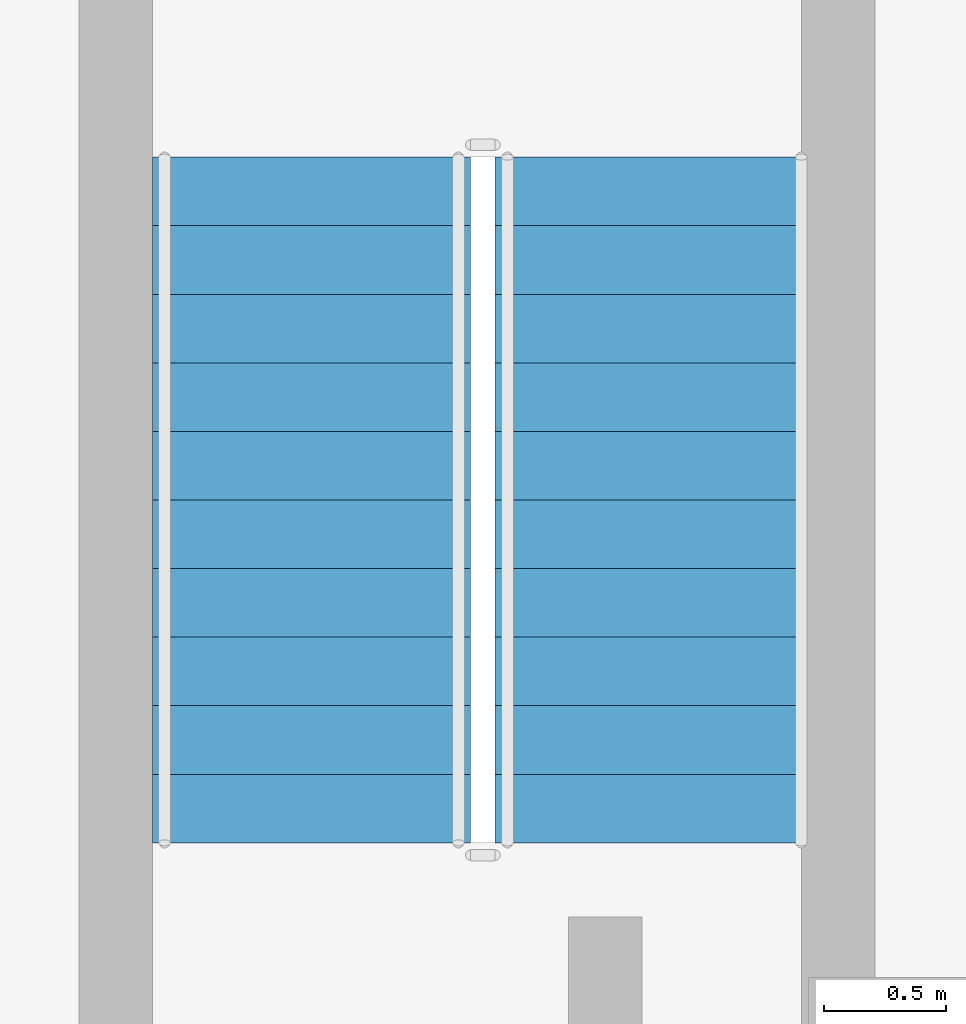
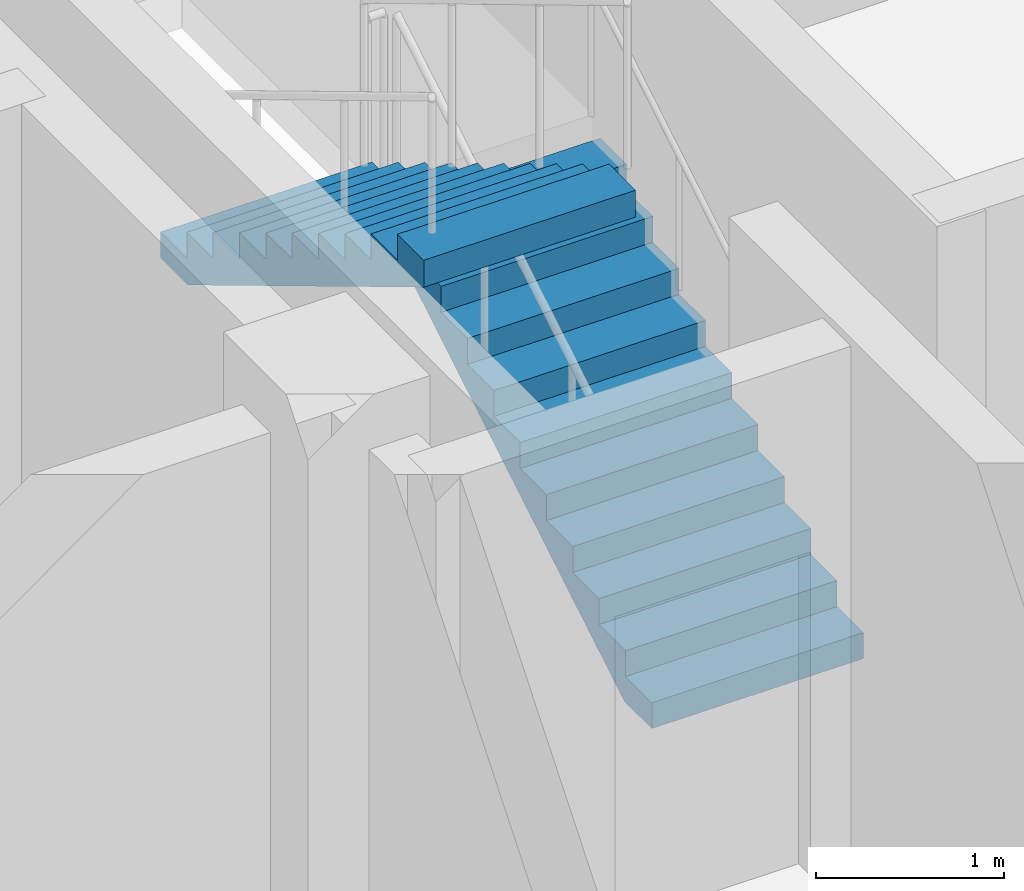
# One storey, part 17 of 23: 2 stair flights, 1 element without a shape of its own.
"""IFC4 building model written with IfcOpenShell, lengths in metres."""

import ifcopenshell
import ifcopenshell.guid

model = None  # the IFC model being written
_history = None  # IfcOwnerHistory: only IFC2X3 demands one
_inside = {}  # id of a spatial element -> (the spatial element, [elements in it])
_under = {}  # id of a project, library or spatial element -> (it, [spatial elements below it])
_declared = {}  # id of a project -> (the project, [libraries it declares])
_typed = {}  # id of a type object -> (the type object, [elements of that type])
_made_of = {}  # id of a material, layer set ... -> (it, [elements and type objects made of it])


def new_model(schema):
    """Start an empty IFC model of exactly this schema.

    Asked for "IFC4X3", IfcOpenShell would pick the latest addendum, in which some entities
    have other attributes; the version numbers below select the first issue.
    IFC2X3 requires an IfcOwnerHistory on every rooted entity: one is made here for all.
    """
    global model, _history
    if schema == "IFC4X3":
        model = ifcopenshell.file(schema_version=(4, 3, 0, 0))
    else:
        model = ifcopenshell.file(schema=schema)
    _inside.clear()
    _under.clear()
    _declared.clear()
    _typed.clear()
    _made_of.clear()
    _history = None
    if model.schema == "IFC2X3":
        org = make("IfcOrganization", Name="unknown")
        user = make(
            "IfcPersonAndOrganization",
            ThePerson=make("IfcPerson", FamilyName="unknown"),
            TheOrganization=org,
        )
        app = make(
            "IfcApplication",
            ApplicationDeveloper=org,
            Version="unknown",
            ApplicationFullName="unknown",
            ApplicationIdentifier="unknown",
        )
        _history = make(
            "IfcOwnerHistory",
            OwningUser=user,
            OwningApplication=app,
            ChangeAction="ADDED",
            CreationDate=0,
        )
    return model


def make(cls, **values):
    """One entity of the class cls with the attributes given. An attribute that is None is left unset."""
    return model.create_entity(
        cls, **{name: value for name, value in values.items() if value is not None}
    )


def rooted(cls, **values):
    """An entity with a GlobalId (a new one), such as an element, a storey or a relation."""
    return make(cls, GlobalId=ifcopenshell.guid.new(), OwnerHistory=_history, **values)


def si_unit(unit_type, name, prefix=None):
    """IfcSIUnit, for example si_unit("LENGTHUNIT", "METRE", prefix="MILLI")."""
    return make("IfcSIUnit", UnitType=unit_type, Prefix=prefix, Name=name)


def assignment(units):
    """IfcUnitAssignment: the units of a project."""
    return None if units is None else make("IfcUnitAssignment", Units=units)


def point(xyz):
    """IfcCartesianPoint."""
    return None if xyz is None else make("IfcCartesianPoint", Coordinates=xyz)


def direction(xyz):
    """IfcDirection."""
    return None if xyz is None else make("IfcDirection", DirectionRatios=xyz)


def frame(location, z_axis=None, x_axis=None):
    """IfcAxis2Placement3D, a coordinate frame: its origin and axes. An axis left out is left unset."""
    return make(
        "IfcAxis2Placement3D",
        Location=point(location),
        Axis=direction(z_axis),
        RefDirection=direction(x_axis),
    )


def origin():
    """The frame at (0, 0, 0) with its axes left unset."""
    return frame((0.0, 0.0, 0.0))


def place(relative_to, where):
    """IfcLocalPlacement: puts the frame where relative to a parent placement (None: the world)."""
    return make(
        "IfcLocalPlacement", PlacementRelTo=relative_to, RelativePlacement=where
    )


def context(
    kind, dimensions, precision=None, world=None, true_north=None, identifier=None
):
    """IfcGeometricRepresentationContext, for example the 3D "Model" context."""
    return make(
        "IfcGeometricRepresentationContext",
        ContextIdentifier=identifier,
        ContextType=kind,
        CoordinateSpaceDimension=dimensions,
        Precision=precision,
        WorldCoordinateSystem=world,
        TrueNorth=true_north,
    )


def subcontext(parent, identifier, kind, view, scale=None):
    """IfcGeometricRepresentationSubContext, for example "Body" below "Model"."""
    return make(
        "IfcGeometricRepresentationSubContext",
        ContextIdentifier=identifier,
        ContextType=kind,
        ParentContext=parent,
        TargetScale=scale,
        TargetView=view,
    )


def project(units=None, contexts=None):
    """IfcProject with its units and contexts."""
    return rooted(
        "IfcProject",
        Name="project",
        RepresentationContexts=contexts,
        UnitsInContext=assignment(units),
    )


def spatial(cls, under=None, at=None, **own):
    """A site, building, storey or space (cls), placed at a placement, below another one or the project."""
    s = rooted(cls, ObjectPlacement=at, **own)
    if under is not None:
        _under.setdefault(under.id(), (under, []))[1].append(s)
    return s


def point_list(points):
    """IfcCartesianPointList2D or 3D."""
    cls = (
        "IfcCartesianPointList2D" if len(points[0]) == 2 else "IfcCartesianPointList3D"
    )
    return make(cls, CoordList=points)


def triangles(points, corners, closed=None, point_numbers=None):
    """IfcTriangulatedFaceSet: each triangle names its three corners, points numbered from 1."""
    return make(
        "IfcTriangulatedFaceSet",
        Coordinates=point_list(points),
        Closed=closed,
        CoordIndex=corners,
        PnIndex=point_numbers,
    )


def shape(context_of_items, identifier, shape_type, items):
    """IfcShapeRepresentation: the items that make up one representation, for example the "Body"."""
    return make(
        "IfcShapeRepresentation",
        ContextOfItems=context_of_items,
        RepresentationIdentifier=identifier,
        RepresentationType=shape_type,
        Items=items,
    )


def source(mapping_origin, context_of_items, identifier, shape_type, items):
    """IfcRepresentationMap: a shape defined once, which mapped items show again and again."""
    return make(
        "IfcRepresentationMap",
        MappingOrigin=mapping_origin,
        MappedRepresentation=shape(context_of_items, identifier, shape_type, items),
    )


def transform(
    local_origin,
    x_axis=None,
    y_axis=None,
    z_axis=None,
    scale=None,
    scale2=None,
    scale3=None,
    uniform=True,
):
    """IfcCartesianTransformationOperator3D, or its non-uniform kind. x_axis, y_axis, z_axis: its Axis1, 2, 3."""
    if uniform:
        return make(
            "IfcCartesianTransformationOperator3D",
            Axis1=direction(x_axis),
            Axis2=direction(y_axis),
            LocalOrigin=point(local_origin),
            Scale=scale,
            Axis3=direction(z_axis),
        )
    return make(
        "IfcCartesianTransformationOperator3DnonUniform",
        Axis1=direction(x_axis),
        Axis2=direction(y_axis),
        LocalOrigin=point(local_origin),
        Scale=scale,
        Axis3=direction(z_axis),
        Scale2=scale2,
        Scale3=scale3,
    )


def mapped(mapping_source, mapping_target):
    """IfcMappedItem: shows the shape of a source again, moved by a transform."""
    return make(
        "IfcMappedItem", MappingSource=mapping_source, MappingTarget=mapping_target
    )


def material(Name=None, Category=None):
    """IfcMaterial."""
    return make("IfcMaterial", Name=Name, Category=Category)


def made_of(thing, what):
    """Note that an element or type object is made of a material, layer set ...; save() writes the relation."""
    if what is not None:
        _made_of.setdefault(what.id(), (what, []))[1].append(thing)
    return thing


def type_object(cls, material=None, **own):
    """A type object (cls), such as IfcWallType, which elements share."""
    return made_of(rooted(cls, **own), material)


def element(
    cls,
    number,
    at=None,
    inside=None,
    cuts=None,
    type_object=None,
    material=None,
    context=None,
    identifier="Body",
    shape_type=None,
    held_by="IfcProductDefinitionShape",
    body=None,
    shapes=None,
    **own,
):
    """One element of the class cls, such as IfcWall. Its Tag is "e" and its number.

    at: its placement. inside: the storey or other place that contains it. cuts: it is an
    opening in that element (IfcRelVoidsElement). A single representation is given by context,
    identifier, shape_type and body (its items); several are given by shapes. held_by: the class
    of the entity that holds the representations. save() writes the other relations.
    """
    e = rooted(cls, Tag="e%d" % number, ObjectPlacement=at, **own)
    if body is not None:
        shapes = [shape(context, identifier, shape_type, body)]
    if shapes is not None:
        e.Representation = make(held_by, Representations=shapes)
    if inside is not None:
        _inside.setdefault(inside.id(), (inside, []))[1].append(e)
    if cuts is not None:
        rooted(
            "IfcRelVoidsElement", RelatingBuildingElement=cuts, RelatedOpeningElement=e
        )
    if type_object is not None:
        _typed.setdefault(type_object.id(), (type_object, []))[1].append(e)
    return made_of(e, material)


def aggregate(whole, parts):
    """IfcRelAggregates: a whole, such as a stair, and the parts it consists of."""
    return rooted("IfcRelAggregates", RelatingObject=whole, RelatedObjects=parts)


def save(model, path):
    """Write the relations noted so far, then the file.

    IfcRelAggregates (storeys below a building ...), IfcRelContainedInSpatialStructure (elements
    in a storey), IfcRelDefinesByType, IfcRelAssociatesMaterial and IfcRelDeclares: one each for
    every whole, place, type object, material and project.
    """
    for whole, parts in _under.values():
        aggregate(whole, parts)
    for where, things in _inside.values():
        rooted(
            "IfcRelContainedInSpatialStructure",
            RelatedElements=things,
            RelatingStructure=where,
        )
    for kind, things in _typed.values():
        rooted("IfcRelDefinesByType", RelatedObjects=things, RelatingType=kind)
    for what, things in _made_of.values():
        rooted("IfcRelAssociatesMaterial", RelatedObjects=things, RelatingMaterial=what)
    for by, libraries in _declared.values():
        rooted("IfcRelDeclares", RelatingContext=by, RelatedDefinitions=libraries)
    model.write(path)


model = new_model("IFC4")

# Units and contexts
model_context = context("Model", 3, precision=1e-05, world=origin(), true_north=direction((0.0, 1.0)))
body_context = subcontext(model_context, "Body", "Model", "MODEL_VIEW")
ifc_project = project(units=[si_unit("LENGTHUNIT", "METRE"), si_unit("AREAUNIT", "SQUARE_METRE"), si_unit("VOLUMEUNIT", "CUBIC_METRE"), si_unit("PLANEANGLEUNIT", "RADIAN"), si_unit("MASSUNIT", "GRAM", prefix="KILO")], contexts=[model_context])

# Site, building, storey
site_placement = place(None, origin())
site = spatial("IfcSite", under=ifc_project, at=site_placement, CompositionType="ELEMENT")
building_placement = place(site_placement, origin())
building = spatial("IfcBuilding", under=site, at=building_placement, Name="Ogive Portal Towers", CompositionType="ELEMENT")
storey_placement = place(building_placement, frame((0.0, 0.0, 186.60009765625)))
storey = spatial("IfcBuildingStorey", under=building, at=storey_placement, Name="L46", CompositionType="ELEMENT", Elevation=186.60009765625)

# Stair, stair flights
ifc_material = material(Name="Concrete C40/50", Category="concrete")
stair_type = type_object("IfcStairType", Name="INT-STAIR", PredefinedType="HALF_TURN_STAIR", material=ifc_material)
stair_placement = place(storey_placement, origin())
stair = element("IfcStair", 1, at=stair_placement, inside=storey, type_object=stair_type, Name="L46 Exit Stair ST-A3", PredefinedType="HALF_TURN_STAIR")
stair_flight_type = type_object("IfcStairFlightType", Name="INT-FLIGHT", PredefinedType="STRAIGHT", material=ifc_material)
shared_shape = source(origin(), body_context, "Body", "Tessellation", [
    triangles([(0.0, -0.650146484375, 0.0), (0.0, -0.376220703125, 0.0), (0.0, -0.192626953125, 0.0), (0.0, -0.081298828125, 0.0), (0.0, -0.024169921875, 0.0), (0.0, -0.003173828125, 0.0), (0.0, 0.0, 0.0), (0.0, 0.0029296875, 0.0), (0.0, 0.02392578125, 0.0), (0.0, 0.0810546875, 0.0), (0.0, 0.1923828125, 0.0), (0.0, 0.3759765625, 0.0), (0.0, 0.64990234375, 0.0), (0.0, -0.650146484375, 0.168212890625), (0.0, -0.376220703125, 0.168212890625), (0.0, -0.192626953125, 0.168212890625), (0.0, -0.081298828125, 0.168212890625), (0.0, -0.024169921875, 0.168212890625), (0.0, -0.003173828125, 0.168212890625), (0.0, 0.0, 0.168212890625), (0.0, 0.0029296875, 0.168212890625), (0.0, 0.02392578125, 0.168212890625), (0.0, 0.0810546875, 0.168212890625), (0.0, 0.1923828125, 0.168212890625), (0.0, 0.3759765625, 0.168212890625), (0.0, 0.64990234375, 0.168212890625), (0.280029296875, -0.650146484375, 0.168212890625), (0.280029296875, -0.376220703125, 0.168212890625), (0.280029296875, -0.192626953125, 0.168212890625), (0.280029296875, -0.081298828125, 0.168212890625), (0.280029296875, -0.024169921875, 0.168212890625), (0.280029296875, -0.003173828125, 0.168212890625), (0.280029296875, 0.0, 0.168212890625), (0.280029296875, 0.0029296875, 0.168212890625), (0.280029296875, 0.02392578125, 0.168212890625), (0.280029296875, 0.0810546875, 0.168212890625), (0.280029296875, 0.1923828125, 0.168212890625), (0.280029296875, 0.3759765625, 0.168212890625), (0.280029296875, 0.64990234375, 0.168212890625), (0.280029296875, -0.650146484375, 0.33642578125), (0.280029296875, -0.376220703125, 0.33642578125), (0.280029296875, -0.192626953125, 0.33642578125), (0.280029296875, -0.081298828125, 0.33642578125), (0.280029296875, -0.024169921875, 0.33642578125), (0.280029296875, -0.003173828125, 0.33642578125), (0.280029296875, 0.0, 0.33642578125), (0.280029296875, 0.0029296875, 0.33642578125), (0.280029296875, 0.02392578125, 0.33642578125), (0.280029296875, 0.0810546875, 0.33642578125), (0.280029296875, 0.1923828125, 0.33642578125), (0.280029296875, 0.3759765625, 0.33642578125), (0.280029296875, 0.64990234375, 0.33642578125), (0.56005859375, -0.650146484375, 0.33642578125), (0.56005859375, -0.376220703125, 0.33642578125), (0.56005859375, -0.192626953125, 0.33642578125), (0.56005859375, -0.081298828125, 0.33642578125), (0.56005859375, -0.024169921875, 0.33642578125), (0.56005859375, -0.003173828125, 0.33642578125), (0.56005859375, 0.0, 0.33642578125), (0.56005859375, 0.0029296875, 0.33642578125), (0.56005859375, 0.02392578125, 0.33642578125), (0.56005859375, 0.0810546875, 0.33642578125), (0.56005859375, 0.1923828125, 0.33642578125), (0.56005859375, 0.3759765625, 0.33642578125), (0.56005859375, 0.64990234375, 0.33642578125), (0.56005859375, -0.650146484375, 0.504638671875), (0.56005859375, -0.376220703125, 0.504638671875), (0.56005859375, -0.192626953125, 0.504638671875), (0.56005859375, -0.081298828125, 0.504638671875), (0.56005859375, -0.024169921875, 0.504638671875), (0.56005859375, -0.003173828125, 0.504638671875), (0.56005859375, 0.0, 0.504638671875), (0.56005859375, 0.0029296875, 0.504638671875), (0.56005859375, 0.02392578125, 0.504638671875), (0.56005859375, 0.0810546875, 0.504638671875), (0.56005859375, 0.1923828125, 0.504638671875), (0.56005859375, 0.3759765625, 0.504638671875), (0.56005859375, 0.64990234375, 0.504638671875), (0.840087890625, -0.650146484375, 0.504638671875), (0.840087890625, -0.376220703125, 0.504638671875), (0.840087890625, -0.192626953125, 0.504638671875), (0.840087890625, -0.081298828125, 0.504638671875), (0.840087890625, -0.024169921875, 0.504638671875), (0.840087890625, -0.003173828125, 0.504638671875), (0.840087890625, 0.0, 0.504638671875), (0.840087890625, 0.0029296875, 0.504638671875), (0.840087890625, 0.02392578125, 0.504638671875), (0.840087890625, 0.0810546875, 0.504638671875), (0.840087890625, 0.1923828125, 0.504638671875), (0.840087890625, 0.3759765625, 0.504638671875), (0.840087890625, 0.64990234375, 0.504638671875), (0.840087890625, -0.650146484375, 0.672607421875), (0.840087890625, -0.376220703125, 0.672607421875), (0.840087890625, -0.192626953125, 0.672607421875), (0.840087890625, -0.081298828125, 0.672607421875), (0.840087890625, -0.024169921875, 0.672607421875), (0.840087890625, -0.003173828125, 0.672607421875), (0.840087890625, 0.0, 0.672607421875), (0.840087890625, 0.0029296875, 0.672607421875), (0.840087890625, 0.02392578125, 0.672607421875), (0.840087890625, 0.0810546875, 0.672607421875), (0.840087890625, 0.1923828125, 0.672607421875), (0.840087890625, 0.3759765625, 0.672607421875), (0.840087890625, 0.64990234375, 0.672607421875), (1.1201171875, -0.650146484375, 0.672607421875), (1.1201171875, -0.376220703125, 0.672607421875), (1.1201171875, -0.192626953125, 0.672607421875), (1.1201171875, -0.081298828125, 0.672607421875), (1.1201171875, -0.024169921875, 0.672607421875), (1.1201171875, -0.003173828125, 0.672607421875), (1.1201171875, 0.0, 0.672607421875), (1.1201171875, 0.0029296875, 0.672607421875), (1.1201171875, 0.02392578125, 0.672607421875), (1.1201171875, 0.0810546875, 0.672607421875), (1.1201171875, 0.1923828125, 0.672607421875), (1.1201171875, 0.3759765625, 0.672607421875), (1.1201171875, 0.64990234375, 0.672607421875), (1.1201171875, -0.650146484375, 0.8408203125), (1.1201171875, -0.376220703125, 0.8408203125), (1.1201171875, -0.192626953125, 0.8408203125), (1.1201171875, -0.081298828125, 0.8408203125), (1.1201171875, -0.024169921875, 0.8408203125), (1.1201171875, -0.003173828125, 0.8408203125), (1.1201171875, 0.0, 0.8408203125), (1.1201171875, 0.0029296875, 0.8408203125), (1.1201171875, 0.02392578125, 0.8408203125), (1.1201171875, 0.0810546875, 0.8408203125), (1.1201171875, 0.1923828125, 0.8408203125), (1.1201171875, 0.3759765625, 0.8408203125), (1.1201171875, 0.64990234375, 0.8408203125), (1.39990234375, -0.650146484375, 0.8408203125), (1.39990234375, -0.376220703125, 0.8408203125), (1.39990234375, -0.192626953125, 0.8408203125), (1.39990234375, -0.081298828125, 0.8408203125), (1.39990234375, -0.024169921875, 0.8408203125), (1.39990234375, -0.003173828125, 0.8408203125), (1.39990234375, 0.0, 0.8408203125), (1.39990234375, 0.0029296875, 0.8408203125), (1.39990234375, 0.02392578125, 0.8408203125), (1.39990234375, 0.0810546875, 0.8408203125), (1.39990234375, 0.1923828125, 0.8408203125), (1.39990234375, 0.3759765625, 0.8408203125), (1.39990234375, 0.64990234375, 0.8408203125), (1.39990234375, -0.650146484375, 1.009033203125), (1.39990234375, -0.376220703125, 1.009033203125), (1.39990234375, -0.192626953125, 1.009033203125), (1.39990234375, -0.081298828125, 1.009033203125), (1.39990234375, -0.024169921875, 1.009033203125), (1.39990234375, -0.003173828125, 1.009033203125), (1.39990234375, 0.0, 1.009033203125), (1.39990234375, 0.0029296875, 1.009033203125), (1.39990234375, 0.02392578125, 1.009033203125), (1.39990234375, 0.0810546875, 1.009033203125), (1.39990234375, 0.1923828125, 1.009033203125), (1.39990234375, 0.3759765625, 1.009033203125), (1.39990234375, 0.64990234375, 1.009033203125), (1.679931640625, -0.650146484375, 1.009033203125), (1.679931640625, -0.376220703125, 1.009033203125), (1.679931640625, -0.192626953125, 1.009033203125), (1.679931640625, -0.081298828125, 1.009033203125), (1.679931640625, -0.024169921875, 1.009033203125), (1.679931640625, -0.003173828125, 1.009033203125), (1.679931640625, 0.0, 1.009033203125), (1.679931640625, 0.0029296875, 1.009033203125), (1.679931640625, 0.02392578125, 1.009033203125), (1.679931640625, 0.0810546875, 1.009033203125), (1.679931640625, 0.1923828125, 1.009033203125), (1.679931640625, 0.3759765625, 1.009033203125), (1.679931640625, 0.64990234375, 1.009033203125), (1.679931640625, -0.650146484375, 1.17724609375), (1.679931640625, -0.376220703125, 1.17724609375), (1.679931640625, -0.192626953125, 1.17724609375), (1.679931640625, -0.081298828125, 1.17724609375), (1.679931640625, -0.024169921875, 1.17724609375), (1.679931640625, -0.003173828125, 1.17724609375), (1.679931640625, 0.0, 1.17724609375), (1.679931640625, 0.0029296875, 1.17724609375), (1.679931640625, 0.02392578125, 1.17724609375), (1.679931640625, 0.0810546875, 1.17724609375), (1.679931640625, 0.1923828125, 1.17724609375), (1.679931640625, 0.3759765625, 1.17724609375), (1.679931640625, 0.64990234375, 1.17724609375), (1.9599609375, -0.650146484375, 1.17724609375), (1.9599609375, -0.376220703125, 1.17724609375), (1.9599609375, -0.192626953125, 1.17724609375), (1.9599609375, -0.081298828125, 1.17724609375), (1.9599609375, -0.024169921875, 1.17724609375), (1.9599609375, -0.003173828125, 1.17724609375), (1.9599609375, 0.0, 1.17724609375), (1.9599609375, 0.0029296875, 1.17724609375), (1.9599609375, 0.02392578125, 1.17724609375), (1.9599609375, 0.0810546875, 1.17724609375), (1.9599609375, 0.1923828125, 1.17724609375), (1.9599609375, 0.3759765625, 1.17724609375), (1.9599609375, 0.64990234375, 1.17724609375), (1.9599609375, -0.650146484375, 1.345458984375), (1.9599609375, -0.376220703125, 1.345458984375), (1.9599609375, -0.192626953125, 1.345458984375), (1.9599609375, -0.081298828125, 1.345458984375), (1.9599609375, -0.024169921875, 1.345458984375), (1.9599609375, -0.003173828125, 1.345458984375), (1.9599609375, 0.0, 1.345458984375), (1.9599609375, 0.0029296875, 1.345458984375), (1.9599609375, 0.02392578125, 1.345458984375), (1.9599609375, 0.0810546875, 1.345458984375), (1.9599609375, 0.1923828125, 1.345458984375), (1.9599609375, 0.3759765625, 1.345458984375), (1.9599609375, 0.64990234375, 1.345458984375), (2.239990234375, -0.650146484375, 1.345458984375), (2.239990234375, -0.376220703125, 1.345458984375), (2.239990234375, -0.192626953125, 1.345458984375), (2.239990234375, -0.081298828125, 1.345458984375), (2.239990234375, -0.024169921875, 1.345458984375), (2.239990234375, -0.003173828125, 1.345458984375), (2.239990234375, 0.0, 1.345458984375), (2.239990234375, 0.0029296875, 1.345458984375), (2.239990234375, 0.02392578125, 1.345458984375), (2.239990234375, 0.0810546875, 1.345458984375), (2.239990234375, 0.1923828125, 1.345458984375), (2.239990234375, 0.3759765625, 1.345458984375), (2.239990234375, 0.64990234375, 1.345458984375), (2.239990234375, -0.650146484375, 1.513671875), (2.239990234375, -0.376220703125, 1.513671875), (2.239990234375, -0.192626953125, 1.513671875), (2.239990234375, -0.081298828125, 1.513671875), (2.239990234375, -0.024169921875, 1.513671875), (2.239990234375, -0.003173828125, 1.513671875), (2.239990234375, 0.0, 1.513671875), (2.239990234375, 0.0029296875, 1.513671875), (2.239990234375, 0.02392578125, 1.513671875), (2.239990234375, 0.0810546875, 1.513671875), (2.239990234375, 0.1923828125, 1.513671875), (2.239990234375, 0.3759765625, 1.513671875), (2.239990234375, 0.64990234375, 1.513671875), (2.52001953125, -0.650146484375, 1.513671875), (2.52001953125, -0.376220703125, 1.513671875), (2.52001953125, -0.192626953125, 1.513671875), (2.52001953125, -0.081298828125, 1.513671875), (2.52001953125, -0.024169921875, 1.513671875), (2.52001953125, -0.003173828125, 1.513671875), (2.52001953125, 0.0, 1.513671875), (2.52001953125, 0.0029296875, 1.513671875), (2.52001953125, 0.02392578125, 1.513671875), (2.52001953125, 0.0810546875, 1.513671875), (2.52001953125, 0.1923828125, 1.513671875), (2.52001953125, 0.3759765625, 1.513671875), (2.52001953125, 0.64990234375, 1.513671875), (2.52001953125, -0.650146484375, 1.681884765625), (2.52001953125, -0.376220703125, 1.681884765625), (2.52001953125, -0.192626953125, 1.681884765625), (2.52001953125, -0.081298828125, 1.681884765625), (2.52001953125, -0.024169921875, 1.681884765625), (2.52001953125, -0.003173828125, 1.681884765625), (2.52001953125, 0.0, 1.681884765625), (2.52001953125, 0.0029296875, 1.681884765625), (2.52001953125, 0.02392578125, 1.681884765625), (2.52001953125, 0.0810546875, 1.681884765625), (2.52001953125, 0.1923828125, 1.681884765625), (2.52001953125, 0.3759765625, 1.681884765625), (2.52001953125, 0.64990234375, 1.681884765625), (2.800048828125, -0.650146484375, 1.681884765625), (2.800048828125, -0.376220703125, 1.681884765625), (2.800048828125, -0.192626953125, 1.681884765625), (2.800048828125, -0.081298828125, 1.681884765625), (2.800048828125, -0.024169921875, 1.681884765625), (2.800048828125, -0.003173828125, 1.681884765625), (2.800048828125, 0.0, 1.681884765625), (2.800048828125, 0.0029296875, 1.681884765625), (2.800048828125, 0.02392578125, 1.681884765625), (2.800048828125, 0.0810546875, 1.681884765625), (2.800048828125, 0.1923828125, 1.681884765625), (2.800048828125, 0.3759765625, 1.681884765625), (2.800048828125, 0.64990234375, 1.681884765625), (2.800048828125, -0.650146484375, 1.5068359375), (2.800048828125, -0.376220703125, 1.5068359375), (2.800048828125, -0.192626953125, 1.5068359375), (2.800048828125, -0.081298828125, 1.5068359375), (2.800048828125, -0.024169921875, 1.5068359375), (2.800048828125, -0.003173828125, 1.5068359375), (2.800048828125, 0.0, 1.5068359375), (2.800048828125, 0.0029296875, 1.5068359375), (2.800048828125, 0.02392578125, 1.5068359375), (2.800048828125, 0.0810546875, 1.5068359375), (2.800048828125, 0.1923828125, 1.5068359375), (2.800048828125, 0.3759765625, 1.5068359375), (2.800048828125, 0.64990234375, 1.5068359375), (0.291015625, -0.650146484375, 0.0), (0.291015625, -0.376220703125, 0.0), (0.291015625, -0.192626953125, 0.0), (0.291015625, -0.081298828125, 0.0), (0.291015625, -0.024169921875, 0.0), (0.291015625, -0.003173828125, 0.0), (0.291015625, 0.0, 0.0), (0.291015625, 0.0029296875, 0.0), (0.291015625, 0.02392578125, 0.0), (0.291015625, 0.0810546875, 0.0), (0.291015625, 0.1923828125, 0.0), (0.291015625, 0.3759765625, 0.0), (0.291015625, 0.64990234375, 0.0)], [[1, 14, 15], [1, 15, 2], [2, 15, 16], [2, 16, 3], [3, 16, 17], [3, 17, 4], [4, 17, 18], [4, 18, 5], [5, 18, 19], [5, 19, 6], [6, 19, 20], [6, 20, 7], [7, 20, 21], [7, 21, 8], [8, 21, 22], [8, 22, 9], [9, 22, 23], [9, 23, 10], [10, 23, 24], [10, 24, 11], [11, 24, 25], [11, 25, 12], [12, 25, 26], [12, 26, 13], [14, 27, 28], [14, 28, 15], [15, 28, 29], [15, 29, 16], [16, 29, 30], [16, 30, 17], [17, 30, 31], [17, 31, 18], [18, 31, 32], [18, 32, 19], [19, 32, 33], [19, 33, 20], [20, 33, 34], [20, 34, 21], [21, 34, 35], [21, 35, 22], [22, 35, 36], [22, 36, 23], [23, 36, 37], [23, 37, 24], [24, 37, 38], [24, 38, 25], [25, 38, 39], [25, 39, 26], [27, 40, 41], [27, 41, 28], [28, 41, 42], [28, 42, 29], [29, 42, 43], [29, 43, 30], [30, 43, 44], [30, 44, 31], [31, 44, 45], [31, 45, 32], [32, 45, 46], [32, 46, 33], [33, 46, 47], [33, 47, 34], [34, 47, 48], [34, 48, 35], [35, 48, 49], [35, 49, 36], [36, 49, 50], [36, 50, 37], [37, 50, 51], [37, 51, 38], [38, 51, 52], [38, 52, 39], [40, 53, 54], [40, 54, 41], [41, 54, 55], [41, 55, 42], [42, 55, 56], [42, 56, 43], [43, 56, 57], [43, 57, 44], [44, 57, 58], [44, 58, 45], [45, 58, 59], [45, 59, 46], [46, 59, 60], [46, 60, 47], [47, 60, 61], [47, 61, 48], [48, 61, 62], [48, 62, 49], [49, 62, 63], [49, 63, 50], [50, 63, 64], [50, 64, 51], [51, 64, 65], [51, 65, 52], [53, 66, 67], [53, 67, 54], [54, 67, 68], [54, 68, 55], [55, 68, 69], [55, 69, 56], [56, 69, 70], [56, 70, 57], [57, 70, 71], [57, 71, 58], [58, 71, 72], [58, 72, 59], [59, 72, 73], [59, 73, 60], [60, 73, 74], [60, 74, 61], [61, 74, 75], [61, 75, 62], [62, 75, 76], [62, 76, 63], [63, 76, 77], [63, 77, 64], [64, 77, 78], [64, 78, 65], [66, 79, 80], [66, 80, 67], [67, 80, 81], [67, 81, 68], [68, 81, 82], [68, 82, 69], [69, 82, 83], [69, 83, 70], [70, 83, 84], [70, 84, 71], [71, 84, 85], [71, 85, 72], [72, 85, 86], [72, 86, 73], [73, 86, 87], [73, 87, 74], [74, 87, 88], [74, 88, 75], [75, 88, 89], [75, 89, 76], [76, 89, 90], [76, 90, 77], [77, 90, 91], [77, 91, 78], [79, 92, 93], [79, 93, 80], [80, 93, 94], [80, 94, 81], [81, 94, 95], [81, 95, 82], [82, 95, 96], [82, 96, 83], [83, 96, 97], [83, 97, 84], [84, 97, 98], [84, 98, 85], [85, 98, 99], [85, 99, 86], [86, 99, 100], [86, 100, 87], [87, 100, 101], [87, 101, 88], [88, 101, 102], [88, 102, 89], [89, 102, 103], [89, 103, 90], [90, 103, 104], [90, 104, 91], [92, 105, 106], [92, 106, 93], [93, 106, 107], [93, 107, 94], [94, 107, 108], [94, 108, 95], [95, 108, 109], [95, 109, 96], [96, 109, 110], [96, 110, 97], [97, 110, 111], [97, 111, 98], [98, 111, 112], [98, 112, 99], [99, 112, 113], [99, 113, 100], [100, 113, 114], [100, 114, 101], [101, 114, 115], [101, 115, 102], [102, 115, 116], [102, 116, 103], [103, 116, 117], [103, 117, 104], [105, 118, 119], [105, 119, 106], [106, 119, 120], [106, 120, 107], [107, 120, 121], [107, 121, 108], [108, 121, 122], [108, 122, 109], [109, 122, 123], [109, 123, 110], [110, 123, 124], [110, 124, 111], [111, 124, 125], [111, 125, 112], [112, 125, 126], [112, 126, 113], [113, 126, 127], [113, 127, 114], [114, 127, 128], [114, 128, 115], [115, 128, 129], [115, 129, 116], [116, 129, 130], [116, 130, 117], [118, 131, 132], [118, 132, 119], [119, 132, 133], [119, 133, 120], [120, 133, 134], [120, 134, 121], [121, 134, 135], [121, 135, 122], [122, 135, 136], [122, 136, 123], [123, 136, 137], [123, 137, 124], [124, 137, 138], [124, 138, 125], [125, 138, 139], [125, 139, 126], [126, 139, 140], [126, 140, 127], [127, 140, 141], [127, 141, 128], [128, 141, 142], [128, 142, 129], [129, 142, 143], [129, 143, 130], [131, 144, 145], [131, 145, 132], [132, 145, 146], [132, 146, 133], [133, 146, 147], [133, 147, 134], [134, 147, 148], [134, 148, 135], [135, 148, 149], [135, 149, 136], [136, 149, 150], [136, 150, 137], [137, 150, 151], [137, 151, 138], [138, 151, 152], [138, 152, 139], [139, 152, 153], [139, 153, 140], [140, 153, 154], [140, 154, 141], [141, 154, 155], [141, 155, 142], [142, 155, 156], [142, 156, 143], [144, 157, 158], [144, 158, 145], [145, 158, 159], [145, 159, 146], [146, 159, 160], [146, 160, 147], [147, 160, 161], [147, 161, 148], [148, 161, 162], [148, 162, 149], [149, 162, 163], [149, 163, 150], [150, 163, 164], [150, 164, 151], [151, 164, 165], [151, 165, 152], [152, 165, 166], [152, 166, 153], [153, 166, 167], [153, 167, 154], [154, 167, 168], [154, 168, 155], [155, 168, 169], [155, 169, 156], [157, 170, 171], [157, 171, 158], [158, 171, 172], [158, 172, 159], [159, 172, 173], [159, 173, 160], [160, 173, 174], [160, 174, 161], [161, 174, 175], [161, 175, 162], [162, 175, 176], [162, 176, 163], [163, 176, 177], [163, 177, 164], [164, 177, 178], [164, 178, 165], [165, 178, 179], [165, 179, 166], [166, 179, 180], [166, 180, 167], [167, 180, 181], [167, 181, 168], [168, 181, 182], [168, 182, 169], [170, 183, 184], [170, 184, 171], [171, 184, 185], [171, 185, 172], [172, 185, 186], [172, 186, 173], [173, 186, 187], [173, 187, 174], [174, 187, 188], [174, 188, 175], [175, 188, 189], [175, 189, 176], [176, 189, 190], [176, 190, 177], [177, 190, 191], [177, 191, 178], [178, 191, 192], [178, 192, 179], [179, 192, 193], [179, 193, 180], [180, 193, 194], [180, 194, 181], [181, 194, 195], [181, 195, 182], [183, 196, 197], [183, 197, 184], [184, 197, 198], [184, 198, 185], [185, 198, 199], [185, 199, 186], [186, 199, 200], [186, 200, 187], [187, 200, 201], [187, 201, 188], [188, 201, 202], [188, 202, 189], [189, 202, 203], [189, 203, 190], [190, 203, 204], [190, 204, 191], [191, 204, 205], [191, 205, 192], [192, 205, 206], [192, 206, 193], [193, 206, 207], [193, 207, 194], [194, 207, 208], [194, 208, 195], [196, 209, 210], [196, 210, 197], [197, 210, 211], [197, 211, 198], [198, 211, 212], [198, 212, 199], [199, 212, 213], [199, 213, 200], [200, 213, 214], [200, 214, 201], [201, 214, 215], [201, 215, 202], [202, 215, 216], [202, 216, 203], [203, 216, 217], [203, 217, 204], [204, 217, 218], [204, 218, 205], [205, 218, 219], [205, 219, 206], [206, 219, 220], [206, 220, 207], [207, 220, 221], [207, 221, 208], [209, 222, 223], [209, 223, 210], [210, 223, 224], [210, 224, 211], [211, 224, 225], [211, 225, 212], [212, 225, 226], [212, 226, 213], [213, 226, 227], [213, 227, 214], [214, 227, 228], [214, 228, 215], [215, 228, 229], [215, 229, 216], [216, 229, 230], [216, 230, 217], [217, 230, 231], [217, 231, 218], [218, 231, 232], [218, 232, 219], [219, 232, 233], [219, 233, 220], [220, 233, 234], [220, 234, 221], [222, 235, 236], [222, 236, 223], [223, 236, 237], [223, 237, 224], [224, 237, 238], [224, 238, 225], [225, 238, 239], [225, 239, 226], [226, 239, 240], [226, 240, 227], [227, 240, 241], [227, 241, 228], [228, 241, 242], [228, 242, 229], [229, 242, 243], [229, 243, 230], [230, 243, 244], [230, 244, 231], [231, 244, 245], [231, 245, 232], [232, 245, 246], [232, 246, 233], [233, 246, 247], [233, 247, 234], [235, 248, 249], [235, 249, 236], [236, 249, 250], [236, 250, 237], [237, 250, 251], [237, 251, 238], [238, 251, 252], [238, 252, 239], [239, 252, 253], [239, 253, 240], [240, 253, 254], [240, 254, 241], [241, 254, 255], [241, 255, 242], [242, 255, 256], [242, 256, 243], [243, 256, 257], [243, 257, 244], [244, 257, 258], [244, 258, 245], [245, 258, 259], [245, 259, 246], [246, 259, 260], [246, 260, 247], [248, 261, 262], [248, 262, 249], [249, 262, 263], [249, 263, 250], [250, 263, 264], [250, 264, 251], [251, 264, 265], [251, 265, 252], [252, 265, 266], [252, 266, 253], [253, 266, 267], [253, 267, 254], [254, 267, 268], [254, 268, 255], [255, 268, 269], [255, 269, 256], [256, 269, 270], [256, 270, 257], [257, 270, 271], [257, 271, 258], [258, 271, 272], [258, 272, 259], [259, 272, 273], [259, 273, 260], [261, 274, 275], [261, 275, 262], [262, 275, 276], [262, 276, 263], [263, 276, 277], [263, 277, 264], [264, 277, 278], [264, 278, 265], [265, 278, 279], [265, 279, 266], [266, 279, 280], [266, 280, 267], [267, 280, 281], [267, 281, 268], [268, 281, 282], [268, 282, 269], [269, 282, 283], [269, 283, 270], [270, 283, 284], [270, 284, 271], [271, 284, 285], [271, 285, 272], [272, 285, 286], [272, 286, 273], [274, 287, 288], [274, 288, 275], [275, 288, 289], [275, 289, 276], [276, 289, 290], [276, 290, 277], [277, 290, 291], [277, 291, 278], [278, 291, 292], [278, 292, 279], [279, 292, 293], [279, 293, 280], [280, 293, 294], [280, 294, 281], [281, 294, 295], [281, 295, 282], [282, 295, 296], [282, 296, 283], [283, 296, 297], [283, 297, 284], [284, 297, 298], [284, 298, 285], [285, 298, 299], [285, 299, 286], [287, 1, 2], [287, 2, 288], [288, 2, 3], [288, 3, 289], [289, 3, 4], [289, 4, 290], [290, 4, 5], [290, 5, 291], [291, 5, 6], [291, 6, 292], [292, 6, 7], [292, 7, 293], [293, 7, 8], [293, 8, 294], [294, 8, 9], [294, 9, 295], [295, 9, 10], [295, 10, 296], [296, 10, 11], [296, 11, 297], [297, 11, 12], [297, 12, 298], [298, 12, 13], [298, 13, 299], [1, 287, 274], [13, 286, 299], [274, 261, 248], [286, 260, 273], [274, 248, 235], [286, 247, 260], [274, 235, 222], [286, 234, 247], [274, 222, 209], [286, 221, 234], [209, 196, 183], [221, 195, 208], [274, 209, 183], [286, 195, 221], [183, 170, 157], [195, 169, 182], [274, 183, 157], [286, 169, 195], [157, 144, 131], [169, 143, 156], [274, 157, 131], [286, 143, 169], [131, 118, 105], [143, 117, 130], [274, 131, 105], [286, 117, 143], [1, 274, 105], [13, 117, 286], [105, 92, 79], [117, 91, 104], [79, 66, 53], [91, 65, 78], [105, 79, 53], [117, 65, 91], [53, 40, 27], [65, 39, 52], [105, 53, 27], [117, 39, 65], [1, 105, 27], [13, 39, 117], [27, 14, 1], [39, 13, 26]], closed=True),
])
stair_flight_1_placement = place(storey_placement, frame((43.550048828125, 67.199951171875, 0.0), z_axis=(0.0, 0.0, 1.0), x_axis=(0.0, 1.0, 0.0)))
stair_flight_1 = element("IfcStairFlight", 2, at=stair_flight_1_placement, type_object=stair_flight_type, Name="ST-A3 flight 1", NumberOfRisers=11, NumberOfTreads=10, PredefinedType="STRAIGHT", RiserHeight=0.168181818, TreadLength=0.28, context=body_context, shape_type="MappedRepresentation", body=[
    mapped(shared_shape, transform((0.0, 0.0, 0.0), scale=1.0)),
])
stair_flight_2_placement = place(storey_placement, frame((42.14990234375, 70.0, 1.849853515625), z_axis=(0.0, 0.0, 1.0), x_axis=(0.0, -1.0, 0.0)))
stair_flight_2 = element("IfcStairFlight", 3, at=stair_flight_2_placement, type_object=stair_flight_type, Name="ST-A3 flight 2", NumberOfRisers=11, NumberOfTreads=10, PredefinedType="STRAIGHT", RiserHeight=0.168181818, TreadLength=0.28, context=body_context, shape_type="MappedRepresentation", body=[
    mapped(shared_shape, transform((0.0, 0.0, 0.0), scale=1.0)),
])
aggregate(stair, [stair_flight_1, stair_flight_2])

save(model, "model.ifc")
